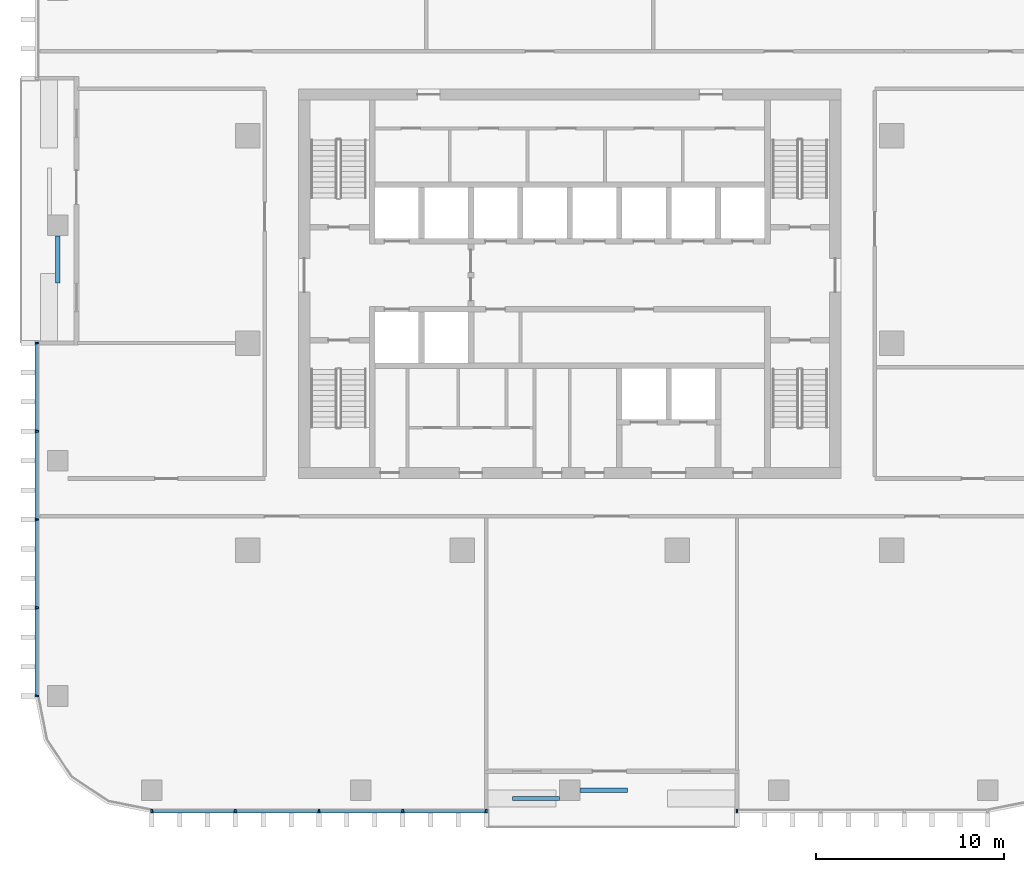
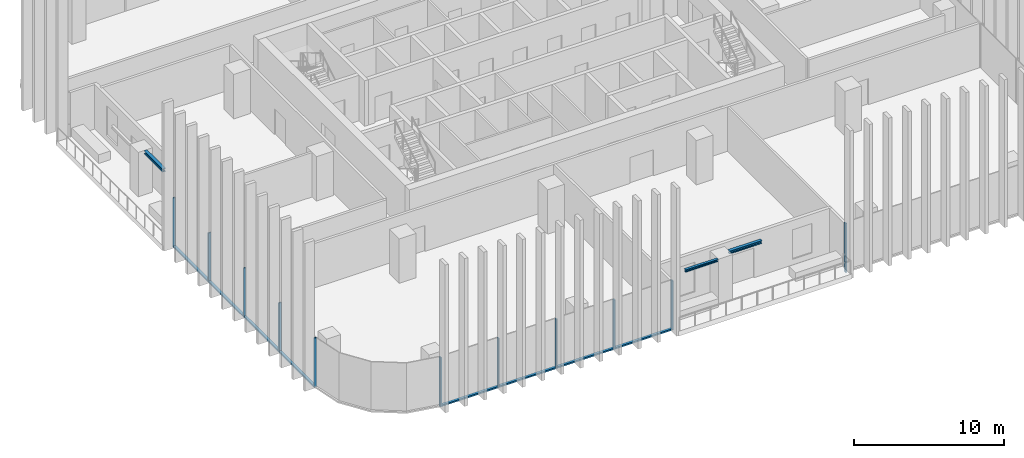
# One storey, part 2 of 16: 19 members, 3 beams, 3 elements without a shape of their own.
"""IFC4 building model written with IfcOpenShell, lengths in metres."""

from ifc_helpers import new_model, si_unit, direction, frame, origin, origin_2d, place, context, subcontext, project, spatial, rectangle, i_section, extrude, material, material_profile, profile_set, type_object, element, aggregate, save


model = new_model("IFC4")

# Units and contexts
model_context = context("Model", 3, precision=1e-05, world=origin(), true_north=direction((0.0, 1.0)))
body_context = subcontext(model_context, "Body", "Model", "MODEL_VIEW")
ifc_project = project(units=[si_unit("LENGTHUNIT", "METRE"), si_unit("AREAUNIT", "SQUARE_METRE"), si_unit("VOLUMEUNIT", "CUBIC_METRE"), si_unit("PLANEANGLEUNIT", "RADIAN"), si_unit("MASSUNIT", "GRAM", prefix="KILO")], contexts=[model_context])

# Site, building, storey
site_placement = place(None, origin())
site = spatial("IfcSite", under=ifc_project, at=site_placement, CompositionType="ELEMENT")
building_placement = place(site_placement, origin())
building = spatial("IfcBuilding", under=site, at=building_placement, Name="Mopane Tessera Tower", CompositionType="ELEMENT")
storey_placement = place(building_placement, frame((0.0, 0.0, 235.0)))
storey = spatial("IfcBuildingStorey", under=building, at=storey_placement, Name="L50", CompositionType="ELEMENT", Elevation=235.0)

# Curtain wall, members
ifc_material_1 = material(Name="Aluminium frame", Category="aluminium")
curtain_wall_type = type_object("IfcCurtainWallType", Name="Unitised curtain wall", PredefinedType="NOTDEFINED", material=ifc_material_1)
curtain_wall_1_placement = place(storey_placement, origin())
curtain_wall_1 = element("IfcCurtainWall", 1, at=curtain_wall_1_placement, inside=storey, type_object=curtain_wall_type, Name="e:cw:L50:S:0", PredefinedType="NOTDEFINED")
ifc_material_2 = material(Name="Aluminium frame", Category="aluminium")
ifc_material_profile_1 = material_profile(ifc_material_2, rectangle(XDim=0.10009765625, YDim=0.199951171875, at=origin_2d()))
ifc_profile_set_1 = profile_set([ifc_material_profile_1], Name="Aluminium frame")
member_type_1 = type_object("IfcMemberType", Name="Aluminium mullion 100 x 200", PredefinedType="MULLION", material=ifc_profile_set_1)
member_1_placement = place(storey_placement, frame((-22.199951171875, -24.85009765625, -0.39990234375), z_axis=(0.0, 0.0, 1.0), x_axis=(1.0, 0.0, 0.0)))
member_1 = element("IfcMember", 2, at=member_1_placement, type_object=member_type_1, Name="e:cw:L50:S:0:mu0", PredefinedType="MULLION", context=body_context, shape_type="SweptSolid", body=[
    extrude(rectangle(XDim=0.10009765625, YDim=0.199951171875, at=origin_2d()), origin(), (0.0, 0.0, 1.0), 4.0),
])
member_2_placement = place(storey_placement, frame((-17.760009765625, -24.85009765625, -0.39990234375), z_axis=(0.0, 0.0, 1.0), x_axis=(1.0, 0.0, 0.0)))
member_2 = element("IfcMember", 3, at=member_2_placement, type_object=member_type_1, Name="e:cw:L50:S:0:mu1", PredefinedType="MULLION", context=body_context, shape_type="SweptSolid", body=[
    extrude(rectangle(XDim=0.10009765625, YDim=0.199951171875, at=origin_2d()), origin(), (0.0, 0.0, 1.0), 4.0),
])
member_3_placement = place(storey_placement, frame((-13.320068359375, -24.85009765625, -0.39990234375), z_axis=(0.0, 0.0, 1.0), x_axis=(1.0, 0.0, 0.0)))
member_3 = element("IfcMember", 4, at=member_3_placement, type_object=member_type_1, Name="e:cw:L50:S:0:mu2", PredefinedType="MULLION", context=body_context, shape_type="SweptSolid", body=[
    extrude(rectangle(XDim=0.10009765625, YDim=0.199951171875, at=origin_2d()), origin(), (0.0, 0.0, 1.0), 4.0),
])
member_4_placement = place(storey_placement, frame((-8.8798828125, -24.85009765625, -0.39990234375), z_axis=(0.0, 0.0, 1.0), x_axis=(1.0, 0.0, 0.0)))
member_4 = element("IfcMember", 5, at=member_4_placement, type_object=member_type_1, Name="e:cw:L50:S:0:mu3", PredefinedType="MULLION", context=body_context, shape_type="SweptSolid", body=[
    extrude(rectangle(XDim=0.10009765625, YDim=0.199951171875, at=origin_2d()), origin(), (0.0, 0.0, 1.0), 4.0),
])
member_5_placement = place(storey_placement, frame((-4.43994140625, -24.85009765625, -0.39990234375), z_axis=(0.0, 0.0, 1.0), x_axis=(1.0, 0.0, 0.0)))
member_5 = element("IfcMember", 6, at=member_5_placement, type_object=member_type_1, Name="e:cw:L50:S:0:mu4", PredefinedType="MULLION", context=body_context, shape_type="SweptSolid", body=[
    extrude(rectangle(XDim=0.10009765625, YDim=0.199951171875, at=origin_2d()), origin(), (0.0, 0.0, 1.0), 4.0),
])

# Curtain wall, member
curtain_wall_2_placement = place(storey_placement, origin())
curtain_wall_2 = element("IfcCurtainWall", 7, at=curtain_wall_2_placement, inside=storey, type_object=curtain_wall_type, Name="e:cw:L50:S:7", PredefinedType="NOTDEFINED")
member_6_placement = place(storey_placement, frame((8.8798828125, -24.85009765625, -0.39990234375), z_axis=(0.0, 0.0, 1.0), x_axis=(1.0, 0.0, 0.0)))
member_6 = element("IfcMember", 8, at=member_6_placement, type_object=member_type_1, Name="e:cw:L50:S:7:mu7", PredefinedType="MULLION", context=body_context, shape_type="SweptSolid", body=[
    extrude(rectangle(XDim=0.10009765625, YDim=0.199951171875, at=origin_2d()), origin(), (0.0, 0.0, 1.0), 4.0),
])
aggregate(curtain_wall_2, [member_6])

# Curtain wall, members
curtain_wall_3_placement = place(storey_placement, origin())
curtain_wall_3 = element("IfcCurtainWall", 9, at=curtain_wall_3_placement, inside=storey, type_object=curtain_wall_type, Name="e:cw:L50:W:4", PredefinedType="NOTDEFINED")
member_7_placement = place(storey_placement, frame((-28.300048828125, 0.0, -0.39990234375), z_axis=(0.0, 0.0, 1.0), x_axis=(0.0, -1.0, 0.0)))
member_7 = element("IfcMember", 10, at=member_7_placement, type_object=member_type_1, Name="e:cw:L50:W:4:mu4", PredefinedType="MULLION", context=body_context, shape_type="SweptSolid", body=[
    extrude(rectangle(XDim=0.10009765625, YDim=0.199951171875, at=origin_2d()), origin(), (0.0, 0.0, 1.0), 4.0),
])
member_8_placement = place(storey_placement, frame((-28.300048828125, -4.6875, -0.39990234375), z_axis=(0.0, 0.0, 1.0), x_axis=(0.0, -1.0, 0.0)))
member_8 = element("IfcMember", 11, at=member_8_placement, type_object=member_type_1, Name="e:cw:L50:W:4:mu5", PredefinedType="MULLION", context=body_context, shape_type="SweptSolid", body=[
    extrude(rectangle(XDim=0.10009765625, YDim=0.199951171875, at=origin_2d()), origin(), (0.0, 0.0, 1.0), 4.0),
])
member_9_placement = place(storey_placement, frame((-28.300048828125, -9.375, -0.39990234375), z_axis=(0.0, 0.0, 1.0), x_axis=(0.0, -1.0, 0.0)))
member_9 = element("IfcMember", 12, at=member_9_placement, type_object=member_type_1, Name="e:cw:L50:W:4:mu6", PredefinedType="MULLION", context=body_context, shape_type="SweptSolid", body=[
    extrude(rectangle(XDim=0.10009765625, YDim=0.199951171875, at=origin_2d()), origin(), (0.0, 0.0, 1.0), 4.0),
])
member_10_placement = place(storey_placement, frame((-28.300048828125, -14.0625, -0.39990234375), z_axis=(0.0, 0.0, 1.0), x_axis=(0.0, -1.0, 0.0)))
member_10 = element("IfcMember", 13, at=member_10_placement, type_object=member_type_1, Name="e:cw:L50:W:4:mu7", PredefinedType="MULLION", context=body_context, shape_type="SweptSolid", body=[
    extrude(rectangle(XDim=0.10009765625, YDim=0.199951171875, at=origin_2d()), origin(), (0.0, 0.0, 1.0), 4.0),
])
member_11_placement = place(storey_placement, frame((-28.300048828125, -18.75, -0.39990234375), z_axis=(0.0, 0.0, 1.0), x_axis=(0.0, -1.0, 0.0)))
member_11 = element("IfcMember", 14, at=member_11_placement, type_object=member_type_1, Name="e:cw:L50:W:4:mu8", PredefinedType="MULLION", context=body_context, shape_type="SweptSolid", body=[
    extrude(rectangle(XDim=0.10009765625, YDim=0.199951171875, at=origin_2d()), origin(), (0.0, 0.0, 1.0), 4.0),
])

# Member
ifc_material_3 = material(Name="Aluminium frame", Category="aluminium")
ifc_material_profile_2 = material_profile(ifc_material_3, rectangle(XDim=0.199951171875, YDim=0.1201171875, at=origin_2d()))
ifc_profile_set_2 = profile_set([ifc_material_profile_2], Name="Aluminium frame")
member_type_2 = type_object("IfcMemberType", Name="Aluminium transom 200 x 120", PredefinedType="USERDEFINED", material=ifc_profile_set_2)
member_12_placement = place(storey_placement, frame((-22.14990234375, -24.85009765625, -0.340087890625), z_axis=(1.0, 0.0, 0.0), x_axis=(0.0, 1.0, 0.0)))
member_12 = element("IfcMember", 15, at=member_12_placement, type_object=member_type_2, Name="e:cw:L50:S:0:tr0", ObjectType="TRANSOM", PredefinedType="USERDEFINED", context=body_context, shape_type="SweptSolid", body=[
    extrude(rectangle(XDim=0.199951171875, YDim=0.1201171875, at=origin_2d()), origin(), (0.0, 0.0, 1.0), 4.33984375),
])

member_13_placement = place(storey_placement, frame((-17.7099609375, -24.85009765625, -0.340087890625), z_axis=(1.0, 0.0, 0.0), x_axis=(0.0, 1.0, 0.0)))
member_13 = element("IfcMember", 16, at=member_13_placement, type_object=member_type_2, Name="e:cw:L50:S:0:tr1", ObjectType="TRANSOM", PredefinedType="USERDEFINED", context=body_context, shape_type="SweptSolid", body=[
    extrude(rectangle(XDim=0.199951171875, YDim=0.1201171875, at=origin_2d()), origin(), (0.0, 0.0, 1.0), 4.33984375),
])

member_14_placement = place(storey_placement, frame((-13.27001953125, -24.85009765625, -0.340087890625), z_axis=(1.0, 0.0, 0.0), x_axis=(0.0, 1.0, 0.0)))
member_14 = element("IfcMember", 17, at=member_14_placement, type_object=member_type_2, Name="e:cw:L50:S:0:tr2", ObjectType="TRANSOM", PredefinedType="USERDEFINED", context=body_context, shape_type="SweptSolid", body=[
    extrude(rectangle(XDim=0.199951171875, YDim=0.1201171875, at=origin_2d()), origin(), (0.0, 0.0, 1.0), 4.340087890625),
])

member_15_placement = place(storey_placement, frame((-8.830078125, -24.85009765625, -0.340087890625), z_axis=(1.0, 0.0, 0.0), x_axis=(0.0, 1.0, 0.0)))
member_15 = element("IfcMember", 18, at=member_15_placement, type_object=member_type_2, Name="e:cw:L50:S:0:tr3", ObjectType="TRANSOM", PredefinedType="USERDEFINED", context=body_context, shape_type="SweptSolid", body=[
    extrude(rectangle(XDim=0.199951171875, YDim=0.1201171875, at=origin_2d()), origin(), (0.0, 0.0, 1.0), 4.340087890625),
])

aggregate(curtain_wall_1, [member_1, member_2, member_3, member_4, member_5, member_12, member_13, member_14, member_15])

member_16_placement = place(storey_placement, frame((-28.300048828125, -0.050048828125, -0.340087890625), z_axis=(0.0, -1.0, 0.0), x_axis=(1.0, 0.0, 0.0)))
member_16 = element("IfcMember", 19, at=member_16_placement, type_object=member_type_2, Name="e:cw:L50:W:4:tr4", ObjectType="TRANSOM", PredefinedType="USERDEFINED", context=body_context, shape_type="SweptSolid", body=[
    extrude(rectangle(XDim=0.199951171875, YDim=0.1201171875, at=origin_2d()), origin(), (0.0, 0.0, 1.0), 4.58740234375),
])

member_17_placement = place(storey_placement, frame((-28.300048828125, -4.737548828125, -0.340087890625), z_axis=(0.0, -1.0, 0.0), x_axis=(1.0, 0.0, 0.0)))
member_17 = element("IfcMember", 20, at=member_17_placement, type_object=member_type_2, Name="e:cw:L50:W:4:tr5", ObjectType="TRANSOM", PredefinedType="USERDEFINED", context=body_context, shape_type="SweptSolid", body=[
    extrude(rectangle(XDim=0.199951171875, YDim=0.1201171875, at=origin_2d()), origin(), (0.0, 0.0, 1.0), 4.58740234375),
])

member_18_placement = place(storey_placement, frame((-28.300048828125, -9.425048828125, -0.340087890625), z_axis=(0.0, -1.0, 0.0), x_axis=(1.0, 0.0, 0.0)))
member_18 = element("IfcMember", 21, at=member_18_placement, type_object=member_type_2, Name="e:cw:L50:W:4:tr6", ObjectType="TRANSOM", PredefinedType="USERDEFINED", context=body_context, shape_type="SweptSolid", body=[
    extrude(rectangle(XDim=0.199951171875, YDim=0.1201171875, at=origin_2d()), origin(), (0.0, 0.0, 1.0), 4.58740234375),
])

member_19_placement = place(storey_placement, frame((-28.300048828125, -14.112548828125, -0.340087890625), z_axis=(0.0, -1.0, 0.0), x_axis=(1.0, 0.0, 0.0)))
member_19 = element("IfcMember", 22, at=member_19_placement, type_object=member_type_2, Name="e:cw:L50:W:4:tr7", ObjectType="TRANSOM", PredefinedType="USERDEFINED", context=body_context, shape_type="SweptSolid", body=[
    extrude(rectangle(XDim=0.199951171875, YDim=0.1201171875, at=origin_2d()), origin(), (0.0, 0.0, 1.0), 4.58740234375),
])

aggregate(curtain_wall_3, [member_7, member_8, member_9, member_10, member_11, member_16, member_17, member_18, member_19])

# Beams
ifc_material_4 = material(Name="Structural steel S460", Category="steel")
ifc_material_profile_3 = material_profile(ifc_material_4, i_section(OverallWidth=0.239990234375, OverallDepth=0.239990234375, WebThickness=0.010009765625, FlangeThickness=0.01708984375, FilletRadius=0.02099609375, at=origin_2d()))
ifc_profile_set_3 = profile_set([ifc_material_profile_3], Name="Structural steel S460")
beam_type_1 = type_object("IfcBeamType", Name="Terrace spandrel beam HE 240 B", PredefinedType="SPANDREL", material=ifc_profile_set_3)
for number, where, z_axis, x_axis, name in (
    (23, (0.552978515625, -23.75, 3.47998046875), (1.0, 0.0, 0.0), (0.0, 1.0, 0.0), "Terrace spandrel beam N1 L51"),
    (24, (-27.199951171875, 5.697021484375, 3.47998046875), (0.0, -1.0, 0.0), (1.0, 0.0, 0.0), "Terrace spandrel beam N3 L51"),
):
    element("IfcBeam", number, at=place(storey_placement, frame(where, z_axis=z_axis, x_axis=x_axis)), inside=storey, type_object=beam_type_1, Name=name, PredefinedType="SPANDREL", context=body_context, shape_type="SweptSolid", body=[
        extrude(i_section(OverallWidth=0.239990234375, OverallDepth=0.239990234375, WebThickness=0.010009765625, FlangeThickness=0.01708984375, FilletRadius=0.02099609375, at=origin_2d()), origin(), (0.0, 0.0, 1.0), 2.5),
    ])
ifc_material_5 = material(Name="Structural steel S460", Category="steel")
ifc_material_profile_4 = material_profile(ifc_material_5, i_section(OverallWidth=0.199951171875, OverallDepth=0.199951171875, WebThickness=0.009033203125, FlangeThickness=0.014892578125, FilletRadius=0.01806640625, at=origin_2d()))
ifc_profile_set_4 = profile_set([ifc_material_profile_4], Name="Structural steel S460")
beam_type_2 = type_object("IfcBeamType", Name="Terrace trimmer beam HE 200 B", PredefinedType="BEAM", material=ifc_profile_set_4)
beam_placement = place(storey_placement, frame((-0.552978515625, -24.18994140625, 3.5), z_axis=(-1.0, 0.0, 0.0), x_axis=(0.0, -1.0, 0.0)))
element("IfcBeam", 25, at=beam_placement, inside=storey, type_object=beam_type_2, Name="Terrace trimmer beam N1 L51", PredefinedType="BEAM", context=body_context, shape_type="SweptSolid", body=[
    extrude(i_section(OverallWidth=0.199951171875, OverallDepth=0.199951171875, WebThickness=0.009033203125, FlangeThickness=0.014892578125, FilletRadius=0.01806640625, at=origin_2d()), origin(), (0.0, 0.0, 1.0), 2.5),
])

save(model, "model.ifc")
